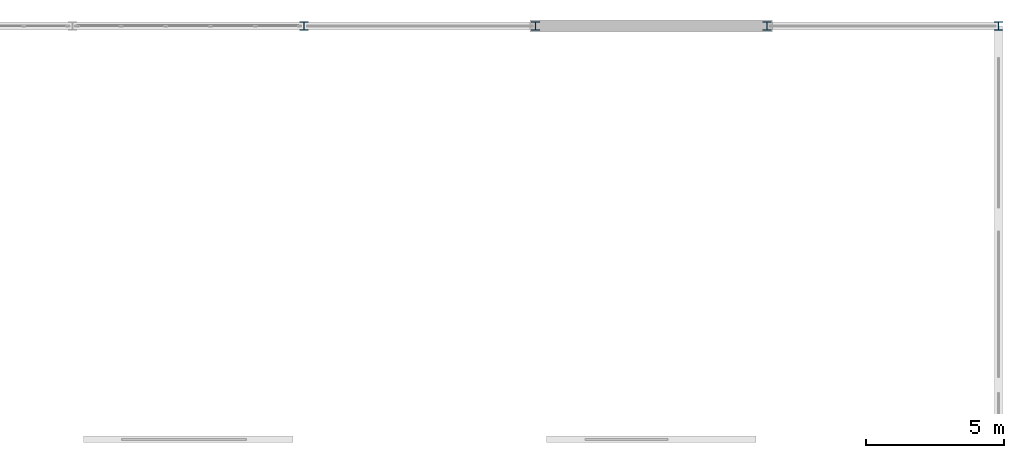
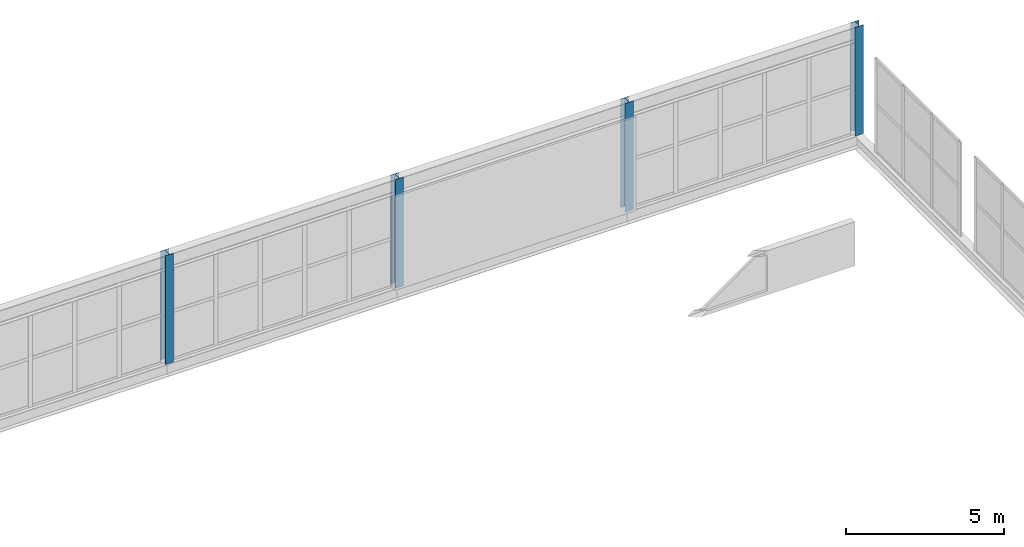
# One storey, part 33 of 218: 4 columns.
"""IFC4 building model written with IfcOpenShell, lengths in metres."""

from ifc_helpers import new_model, si_unit, direction, frame, origin, origin_2d, place, context, subcontext, project, spatial, i_section, extrude, material, material_profile, profile_set, type_object, element, save


model = new_model("IFC4")

# Units and contexts
model_context = context("Model", 3, precision=1e-05, world=origin(), true_north=direction((0.0, 1.0)))
body_context = subcontext(model_context, "Body", "Model", "MODEL_VIEW")
ifc_project = project(units=[si_unit("LENGTHUNIT", "METRE"), si_unit("AREAUNIT", "SQUARE_METRE"), si_unit("VOLUMEUNIT", "CUBIC_METRE"), si_unit("PLANEANGLEUNIT", "RADIAN"), si_unit("MASSUNIT", "GRAM", prefix="KILO")], contexts=[model_context])

# Site, building, storey
site_placement = place(None, origin())
site = spatial("IfcSite", under=ifc_project, at=site_placement, CompositionType="ELEMENT")
building_placement = place(site_placement, origin())
building = spatial("IfcBuilding", under=site, at=building_placement, Name="Kazenagashi Tramway Depot", CompositionType="ELEMENT")
storey_placement = place(building_placement, frame((0.0, 0.0, 6.0)))
storey = spatial("IfcBuildingStorey", under=building, at=storey_placement, Name="L02", CompositionType="ELEMENT", Elevation=6.0)

# Columns
ifc_material = material(Name="Steel SN490B", Category="steel")
ifc_material_profile = material_profile(ifc_material, i_section(OverallWidth=0.3, OverallDepth=0.3, WebThickness=0.01, FlangeThickness=0.015, at=origin_2d()), Name="H-300x300x10x15")
ifc_profile_set = profile_set([ifc_material_profile], Name="Steel SN490B")
column_type = type_object("IfcColumnType", Name="C-05", PredefinedType="COLUMN", material=ifc_profile_set)
for number, where, z_axis, x_axis, name in (
    (1, (170.8, 130.0, 0.0), (0.0, 0.0, 1.0), (1.0, 0.0, 0.0), "Column C-05 COL-0096"),
    (2, (179.2, 130.0, 0.0), (0.0, 0.0, 1.0), (1.0, 0.0, 0.0), "Column C-05 COL-0102"),
    (3, (187.6, 130.0, 0.0), (0.0, 0.0, 1.0), (1.0, 0.0, 0.0), "Column C-05 COL-0108"),
    (4, (196.0, 130.0, 0.0), (0.0, 0.0, 1.0), (1.0, 0.0, 0.0), "Column C-05 COL-0114"),
):
    element("IfcColumn", number, at=place(storey_placement, frame(where, z_axis=z_axis, x_axis=x_axis)), inside=storey, type_object=column_type, Name=name, PredefinedType="COLUMN", context=body_context, shape_type="SweptSolid", body=[
        extrude(i_section(OverallWidth=0.3, OverallDepth=0.3, WebThickness=0.01, FlangeThickness=0.015, at=origin_2d()), origin(), (0.0, 0.0, 1.0), 4.2),
    ])

save(model, "model.ifc")
